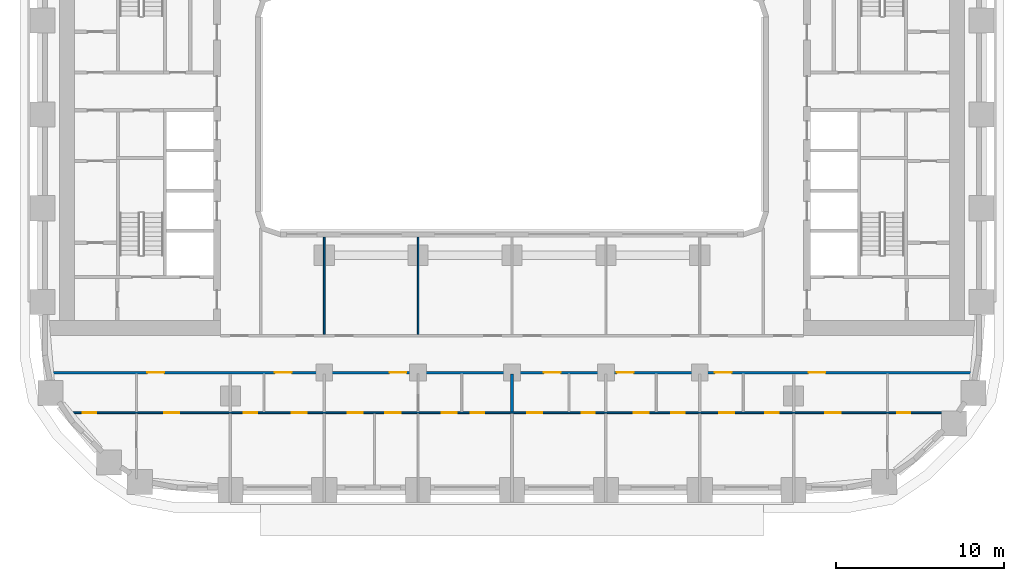
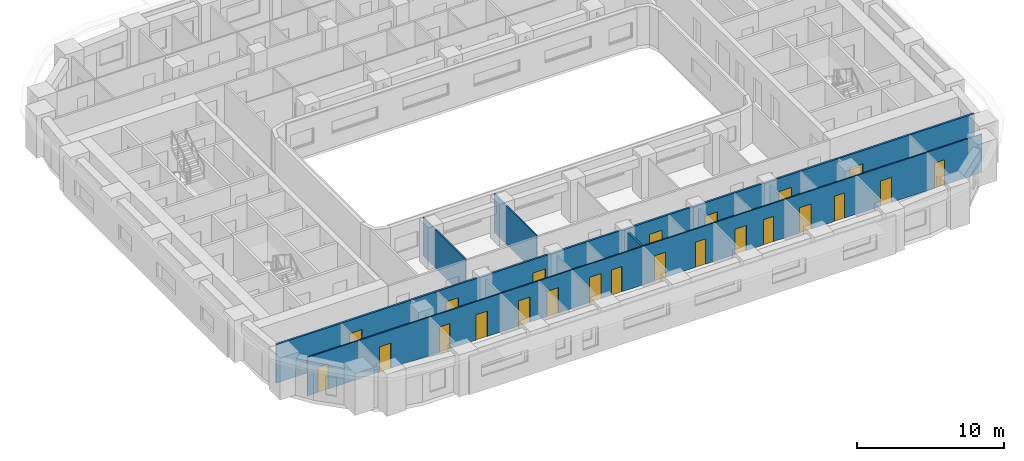
# One storey, part 3 of 21: 23 doors, 5 walls, 23 openings.
"""IFC4 building model written with IfcOpenShell, lengths in metres."""

from ifc_helpers import new_model, si_unit, direction, frame, frame_2d, origin, place, context, subcontext, project, spatial, rectangle, extrude, material, layer, layer_set, type_object, element, fill, save


model = new_model("IFC4")

# Units and contexts
model_context = context("Model", 3, precision=1e-05, world=origin(), true_north=direction((0.0, 1.0)))
body_context = subcontext(model_context, "Body", "Model", "MODEL_VIEW")
ifc_project = project(units=[si_unit("LENGTHUNIT", "METRE"), si_unit("AREAUNIT", "SQUARE_METRE"), si_unit("VOLUMEUNIT", "CUBIC_METRE"), si_unit("PLANEANGLEUNIT", "RADIAN"), si_unit("MASSUNIT", "GRAM", prefix="KILO")], contexts=[model_context])

# Site, building, storey
site_placement = place(None, origin())
site = spatial("IfcSite", under=ifc_project, at=site_placement, CompositionType="ELEMENT")
building_placement = place(site_placement, origin())
building = spatial("IfcBuilding", under=site, at=building_placement, Name="Kiln Ring Residences", CompositionType="ELEMENT")
storey_placement = place(building_placement, frame((0.0, 0.0, 48.0)))
storey = spatial("IfcBuildingStorey", under=building, at=storey_placement, Name="L11", CompositionType="ELEMENT", Elevation=48.0)

# Wall, openings, doors
ifc_material_1 = material(Name="Gypsum board on steel studs", Category="steel")
ifc_layer_1 = layer(ifc_material_1, 0.10009765625)
ifc_layer_set_1 = layer_set([ifc_layer_1], Name="PARTITION-100")
wall_type_1 = type_object("IfcWallType", Name="PARTITION-100", PredefinedType="PARTITIONING", material=ifc_layer_set_1)
wall_1_placement = place(storey_placement, frame((-26.39404296875, -17.800048828125, 0.0), z_axis=(0.0, 0.0, 1.0), x_axis=(1.0, 0.0, 0.0)))
wall_1 = element("IfcWall", 1, at=wall_1_placement, inside=storey, type_object=wall_type_1, Name="Partition 000", PredefinedType="PARTITIONING", context=body_context, shape_type="SweptSolid", body=[
    extrude(rectangle(XDim=53.126220703125, YDim=0.10009765625, at=frame_2d((26.56298828125, 0.0))), origin(), (0.0, 0.0, 1.0), 3.199951171875),
])
opening_1_placement = place(wall_1_placement, frame((0.7939453125, 0.0, 0.0)))
opening_1 = element("IfcOpeningElement", 2, at=opening_1_placement, cuts=wall_1, Name="Opening L11-D052", PredefinedType="OPENING", context=body_context, shape_type="SweptSolid", body=[
    extrude(rectangle(XDim=0.800048828125, YDim=2.10009765625, at=frame_2d((0.39990234375, 1.050048828125))), frame((0.0, 0.06005859375, 0.0), z_axis=(0.0, -1.0, 0.0), x_axis=(1.0, 0.0, 0.0)), (0.0, 0.0, 1.0), 0.1201171875),
])
opening_2_placement = place(wall_1_placement, frame((5.64404296875, 0.0, 0.0)))
opening_2 = element("IfcOpeningElement", 3, at=opening_2_placement, cuts=wall_1, Name="Opening L11-D053", PredefinedType="OPENING", context=body_context, shape_type="SweptSolid", body=[
    extrude(rectangle(XDim=0.89990234375, YDim=2.10009765625, at=frame_2d((0.449951171875, 1.050048828125))), frame((0.0, 0.06005859375, 0.0), z_axis=(0.0, -1.0, 0.0), x_axis=(1.0, 0.0, 0.0)), (0.0, 0.0, 1.0), 0.1201171875),
])
opening_3_placement = place(wall_1_placement, frame((10.39404296875, 0.0, 0.0)))
opening_3 = element("IfcOpeningElement", 4, at=opening_3_placement, cuts=wall_1, Name="Opening L11-D056", PredefinedType="OPENING", context=body_context, shape_type="SweptSolid", body=[
    extrude(rectangle(XDim=0.800048828125, YDim=2.10009765625, at=frame_2d((0.39990234375, 1.050048828125))), frame((0.0, 0.06005859375, 0.0), z_axis=(0.0, -1.0, 0.0), x_axis=(1.0, 0.0, 0.0)), (0.0, 0.0, 1.0), 0.1201171875),
])
opening_4_placement = place(wall_1_placement, frame((13.243896484375, 0.0, 0.0)))
opening_4 = element("IfcOpeningElement", 5, at=opening_4_placement, cuts=wall_1, Name="Opening L11-D057", PredefinedType="OPENING", context=body_context, shape_type="SweptSolid", body=[
    extrude(rectangle(XDim=0.89990234375, YDim=2.10009765625, at=frame_2d((0.449951171875, 1.050048828125))), frame((0.0, 0.06005859375, 0.0), z_axis=(0.0, -1.0, 0.0), x_axis=(1.0, 0.0, 0.0)), (0.0, 0.0, 1.0), 0.1201171875),
])
opening_5_placement = place(wall_1_placement, frame((23.944091796875, 0.0, 0.0)))
opening_5 = element("IfcOpeningElement", 6, at=opening_5_placement, cuts=wall_1, Name="Opening L11-D060", PredefinedType="OPENING", context=body_context, shape_type="SweptSolid", body=[
    extrude(rectangle(XDim=0.800048828125, YDim=2.10009765625, at=frame_2d((0.39990234375, 1.050048828125))), frame((0.0, 0.06005859375, 0.0), z_axis=(0.0, -1.0, 0.0), x_axis=(1.0, 0.0, 0.0)), (0.0, 0.0, 1.0), 0.1201171875),
])
opening_6_placement = place(wall_1_placement, frame((22.194091796875, 0.0, 0.0)))
opening_6 = element("IfcOpeningElement", 7, at=opening_6_placement, cuts=wall_1, Name="Opening L11-D061", PredefinedType="OPENING", context=body_context, shape_type="SweptSolid", body=[
    extrude(rectangle(XDim=0.89990234375, YDim=2.10009765625, at=frame_2d((0.449951171875, 1.050048828125))), frame((0.0, 0.06005859375, 0.0), z_axis=(0.0, -1.0, 0.0), x_axis=(1.0, 0.0, 0.0)), (0.0, 0.0, 1.0), 0.1201171875),
])
opening_7_placement = place(wall_1_placement, frame((16.593994140625, 0.0, 0.0)))
opening_7 = element("IfcOpeningElement", 8, at=opening_7_placement, cuts=wall_1, Name="Opening L11-D062", PredefinedType="OPENING", context=body_context, shape_type="SweptSolid", body=[
    extrude(rectangle(XDim=0.89990234375, YDim=2.10009765625, at=frame_2d((0.449951171875, 1.050048828125))), frame((0.0, 0.06005859375, 0.0), z_axis=(0.0, -1.0, 0.0), x_axis=(1.0, 0.0, 0.0)), (0.0, 0.0, 1.0), 0.1201171875),
])
opening_8_placement = place(wall_1_placement, frame((18.843994140625, 0.0, 0.0)))
opening_8 = element("IfcOpeningElement", 9, at=opening_8_placement, cuts=wall_1, Name="Opening L11-D063", PredefinedType="OPENING", context=body_context, shape_type="SweptSolid", body=[
    extrude(rectangle(XDim=0.89990234375, YDim=2.10009765625, at=frame_2d((0.449951171875, 1.050048828125))), frame((0.0, 0.06005859375, 0.0), z_axis=(0.0, -1.0, 0.0), x_axis=(1.0, 0.0, 0.0)), (0.0, 0.0, 1.0), 0.1201171875),
])
opening_9_placement = place(wall_1_placement, frame((30.5439453125, 0.0, 0.0)))
opening_9 = element("IfcOpeningElement", 10, at=opening_9_placement, cuts=wall_1, Name="Opening L11-D065", PredefinedType="OPENING", context=body_context, shape_type="SweptSolid", body=[
    extrude(rectangle(XDim=0.800048828125, YDim=2.10009765625, at=frame_2d((0.39990234375, 1.050048828125))), frame((0.0, 0.06005859375, 0.0), z_axis=(0.0, -1.0, 0.0), x_axis=(1.0, 0.0, 0.0)), (0.0, 0.0, 1.0), 0.1201171875),
])
opening_10_placement = place(wall_1_placement, frame((27.2939453125, 0.0, 0.0)))
opening_10 = element("IfcOpeningElement", 11, at=opening_10_placement, cuts=wall_1, Name="Opening L11-D066", PredefinedType="OPENING", context=body_context, shape_type="SweptSolid", body=[
    extrude(rectangle(XDim=0.89990234375, YDim=2.10009765625, at=frame_2d((0.449951171875, 1.050048828125))), frame((0.0, 0.06005859375, 0.0), z_axis=(0.0, -1.0, 0.0), x_axis=(1.0, 0.0, 0.0)), (0.0, 0.0, 1.0), 0.1201171875),
])
opening_11_placement = place(wall_1_placement, frame((35.89404296875, 0.0, 0.0)))
opening_11 = element("IfcOpeningElement", 12, at=opening_11_placement, cuts=wall_1, Name="Opening L11-D068", PredefinedType="OPENING", context=body_context, shape_type="SweptSolid", body=[
    extrude(rectangle(XDim=0.800048828125, YDim=2.10009765625, at=frame_2d((0.39990234375, 1.050048828125))), frame((0.0, 0.06005859375, 0.0), z_axis=(0.0, -1.0, 0.0), x_axis=(1.0, 0.0, 0.0)), (0.0, 0.0, 1.0), 0.1201171875),
])
opening_12_placement = place(wall_1_placement, frame((33.64404296875, 0.0, 0.0)))
opening_12 = element("IfcOpeningElement", 13, at=opening_12_placement, cuts=wall_1, Name="Opening L11-D069", PredefinedType="OPENING", context=body_context, shape_type="SweptSolid", body=[
    extrude(rectangle(XDim=0.89990234375, YDim=2.10009765625, at=frame_2d((0.449951171875, 1.050048828125))), frame((0.0, 0.06005859375, 0.0), z_axis=(0.0, -1.0, 0.0), x_axis=(1.0, 0.0, 0.0)), (0.0, 0.0, 1.0), 0.1201171875),
])
opening_13_placement = place(wall_1_placement, frame((41.493896484375, 0.0, 0.0)))
opening_13 = element("IfcOpeningElement", 14, at=opening_13_placement, cuts=wall_1, Name="Opening L11-D071", PredefinedType="OPENING", context=body_context, shape_type="SweptSolid", body=[
    extrude(rectangle(XDim=0.800048828125, YDim=2.10009765625, at=frame_2d((0.39990234375, 1.050048828125))), frame((0.0, 0.06005859375, 0.0), z_axis=(0.0, -1.0, 0.0), x_axis=(1.0, 0.0, 0.0)), (0.0, 0.0, 1.0), 0.1201171875),
])
opening_14_placement = place(wall_1_placement, frame((38.743896484375, 0.0, 0.0)))
opening_14 = element("IfcOpeningElement", 15, at=opening_14_placement, cuts=wall_1, Name="Opening L11-D072", PredefinedType="OPENING", context=body_context, shape_type="SweptSolid", body=[
    extrude(rectangle(XDim=0.89990234375, YDim=2.10009765625, at=frame_2d((0.449951171875, 1.050048828125))), frame((0.0, 0.06005859375, 0.0), z_axis=(0.0, -1.0, 0.0), x_axis=(1.0, 0.0, 0.0)), (0.0, 0.0, 1.0), 0.1201171875),
])
opening_15_placement = place(wall_1_placement, frame((49.362060546875, 0.0, 0.0)))
opening_15 = element("IfcOpeningElement", 16, at=opening_15_placement, cuts=wall_1, Name="Opening L11-D074", PredefinedType="OPENING", context=body_context, shape_type="SweptSolid", body=[
    extrude(rectangle(XDim=0.800048828125, YDim=2.10009765625, at=frame_2d((0.39990234375, 1.050048828125))), frame((0.0, 0.06005859375, 0.0), z_axis=(0.0, -1.0, 0.0), x_axis=(1.0, 0.0, 0.0)), (0.0, 0.0, 1.0), 0.1201171875),
])
opening_16_placement = place(wall_1_placement, frame((45.093994140625, 0.0, 0.0)))
opening_16 = element("IfcOpeningElement", 17, at=opening_16_placement, cuts=wall_1, Name="Opening L11-D075", PredefinedType="OPENING", context=body_context, shape_type="SweptSolid", body=[
    extrude(rectangle(XDim=0.89990234375, YDim=2.10009765625, at=frame_2d((0.449951171875, 1.050048828125))), frame((0.0, 0.06005859375, 0.0), z_axis=(0.0, -1.0, 0.0), x_axis=(1.0, 0.0, 0.0)), (0.0, 0.0, 1.0), 0.1201171875),
])
ifc_material_2 = material(Name="Timber door leaf", Category="wood")
door_type_1 = type_object("IfcDoorType", Name="FLAT-DOOR-800-PL", OperationType="SINGLE_SWING_LEFT", PredefinedType="DOOR", material=ifc_material_2)
door_1_placement = place(opening_1_placement, origin())
door_1 = element("IfcDoor", 18, at=door_1_placement, inside=storey, type_object=door_type_1, Name="Door L11-D052", OperationType="SINGLE_SWING_RIGHT", OverallHeight=2.10009765625, OverallWidth=0.800048828125, PredefinedType="DOOR", context=body_context, shape_type="SweptSolid", body=[
    extrude(rectangle(XDim=0.800048828125, YDim=2.10009765625, at=frame_2d((0.39990234375, 1.050048828125))), frame((0.0, 0.02490234375, 0.0), z_axis=(0.0, -1.0, 0.0), x_axis=(1.0, 0.0, 0.0)), (0.0, 0.0, 1.0), 0.050048828125),
])
fill(opening_1, door_1)
door_2_placement = place(opening_3_placement, origin())
door_2 = element("IfcDoor", 19, at=door_2_placement, inside=storey, type_object=door_type_1, Name="Door L11-D056", OperationType="SINGLE_SWING_LEFT", OverallHeight=2.10009765625, OverallWidth=0.800048828125, PredefinedType="DOOR", context=body_context, shape_type="SweptSolid", body=[
    extrude(rectangle(XDim=0.800048828125, YDim=2.10009765625, at=frame_2d((0.39990234375, 1.050048828125))), frame((0.0, 0.02490234375, 0.0), z_axis=(0.0, -1.0, 0.0), x_axis=(1.0, 0.0, 0.0)), (0.0, 0.0, 1.0), 0.050048828125),
])
fill(opening_3, door_2)
door_3_placement = place(opening_5_placement, origin())
door_3 = element("IfcDoor", 20, at=door_3_placement, inside=storey, type_object=door_type_1, Name="Door L11-D060", OperationType="SINGLE_SWING_RIGHT", OverallHeight=2.10009765625, OverallWidth=0.800048828125, PredefinedType="DOOR", context=body_context, shape_type="SweptSolid", body=[
    extrude(rectangle(XDim=0.800048828125, YDim=2.10009765625, at=frame_2d((0.39990234375, 1.050048828125))), frame((0.0, 0.02490234375, 0.0), z_axis=(0.0, -1.0, 0.0), x_axis=(1.0, 0.0, 0.0)), (0.0, 0.0, 1.0), 0.050048828125),
])
fill(opening_5, door_3)
door_4_placement = place(opening_9_placement, origin())
door_4 = element("IfcDoor", 21, at=door_4_placement, inside=storey, type_object=door_type_1, Name="Door L11-D065", OperationType="SINGLE_SWING_LEFT", OverallHeight=2.10009765625, OverallWidth=0.800048828125, PredefinedType="DOOR", context=body_context, shape_type="SweptSolid", body=[
    extrude(rectangle(XDim=0.800048828125, YDim=2.10009765625, at=frame_2d((0.39990234375, 1.050048828125))), frame((0.0, 0.02490234375, 0.0), z_axis=(0.0, -1.0, 0.0), x_axis=(1.0, 0.0, 0.0)), (0.0, 0.0, 1.0), 0.050048828125),
])
fill(opening_9, door_4)
door_5_placement = place(opening_11_placement, origin())
door_5 = element("IfcDoor", 22, at=door_5_placement, inside=storey, type_object=door_type_1, Name="Door L11-D068", OperationType="SINGLE_SWING_RIGHT", OverallHeight=2.10009765625, OverallWidth=0.800048828125, PredefinedType="DOOR", context=body_context, shape_type="SweptSolid", body=[
    extrude(rectangle(XDim=0.800048828125, YDim=2.10009765625, at=frame_2d((0.39990234375, 1.050048828125))), frame((0.0, 0.02490234375, 0.0), z_axis=(0.0, -1.0, 0.0), x_axis=(1.0, 0.0, 0.0)), (0.0, 0.0, 1.0), 0.050048828125),
])
fill(opening_11, door_5)
door_6_placement = place(opening_13_placement, origin())
door_6 = element("IfcDoor", 23, at=door_6_placement, inside=storey, type_object=door_type_1, Name="Door L11-D071", OperationType="SINGLE_SWING_LEFT", OverallHeight=2.10009765625, OverallWidth=0.800048828125, PredefinedType="DOOR", context=body_context, shape_type="SweptSolid", body=[
    extrude(rectangle(XDim=0.800048828125, YDim=2.10009765625, at=frame_2d((0.39990234375, 1.050048828125))), frame((0.0, 0.02490234375, 0.0), z_axis=(0.0, -1.0, 0.0), x_axis=(1.0, 0.0, 0.0)), (0.0, 0.0, 1.0), 0.050048828125),
])
fill(opening_13, door_6)
door_7_placement = place(opening_15_placement, origin())
door_7 = element("IfcDoor", 24, at=door_7_placement, inside=storey, type_object=door_type_1, Name="Door L11-D074", OperationType="SINGLE_SWING_RIGHT", OverallHeight=2.10009765625, OverallWidth=0.800048828125, PredefinedType="DOOR", context=body_context, shape_type="SweptSolid", body=[
    extrude(rectangle(XDim=0.800048828125, YDim=2.10009765625, at=frame_2d((0.39990234375, 1.050048828125))), frame((0.0, 0.02490234375, 0.0), z_axis=(0.0, -1.0, 0.0), x_axis=(1.0, 0.0, 0.0)), (0.0, 0.0, 1.0), 0.050048828125),
])
fill(opening_15, door_7)
ifc_material_3 = material(Name="Timber door leaf", Category="wood")
door_type_2 = type_object("IfcDoorType", Name="FLAT-DOOR-900-PL", OperationType="SINGLE_SWING_LEFT", PredefinedType="DOOR", material=ifc_material_3)
door_8_placement = place(opening_2_placement, origin())
door_8 = element("IfcDoor", 25, at=door_8_placement, inside=storey, type_object=door_type_2, Name="Door L11-D053", OperationType="SINGLE_SWING_LEFT", OverallHeight=2.10009765625, OverallWidth=0.89990234375, PredefinedType="DOOR", context=body_context, shape_type="SweptSolid", body=[
    extrude(rectangle(XDim=0.89990234375, YDim=2.10009765625, at=frame_2d((0.449951171875, 1.050048828125))), frame((0.0, 0.02490234375, 0.0), z_axis=(0.0, -1.0, 0.0), x_axis=(1.0, 0.0, 0.0)), (0.0, 0.0, 1.0), 0.050048828125),
])
fill(opening_2, door_8)
door_9_placement = place(opening_4_placement, origin())
door_9 = element("IfcDoor", 26, at=door_9_placement, inside=storey, type_object=door_type_2, Name="Door L11-D057", OperationType="SINGLE_SWING_RIGHT", OverallHeight=2.10009765625, OverallWidth=0.89990234375, PredefinedType="DOOR", context=body_context, shape_type="SweptSolid", body=[
    extrude(rectangle(XDim=0.89990234375, YDim=2.10009765625, at=frame_2d((0.449951171875, 1.050048828125))), frame((0.0, 0.02490234375, 0.0), z_axis=(0.0, -1.0, 0.0), x_axis=(1.0, 0.0, 0.0)), (0.0, 0.0, 1.0), 0.050048828125),
])
fill(opening_4, door_9)
door_10_placement = place(opening_6_placement, origin())
door_10 = element("IfcDoor", 27, at=door_10_placement, inside=storey, type_object=door_type_2, Name="Door L11-D061", OperationType="SINGLE_SWING_RIGHT", OverallHeight=2.10009765625, OverallWidth=0.89990234375, PredefinedType="DOOR", context=body_context, shape_type="SweptSolid", body=[
    extrude(rectangle(XDim=0.89990234375, YDim=2.10009765625, at=frame_2d((0.449951171875, 1.050048828125))), frame((0.0, 0.02490234375, 0.0), z_axis=(0.0, -1.0, 0.0), x_axis=(1.0, 0.0, 0.0)), (0.0, 0.0, 1.0), 0.050048828125),
])
fill(opening_6, door_10)
door_11_placement = place(opening_7_placement, origin())
door_11 = element("IfcDoor", 28, at=door_11_placement, inside=storey, type_object=door_type_2, Name="Door L11-D062", OperationType="SINGLE_SWING_RIGHT", OverallHeight=2.10009765625, OverallWidth=0.89990234375, PredefinedType="DOOR", context=body_context, shape_type="SweptSolid", body=[
    extrude(rectangle(XDim=0.89990234375, YDim=2.10009765625, at=frame_2d((0.449951171875, 1.050048828125))), frame((0.0, 0.02490234375, 0.0), z_axis=(0.0, -1.0, 0.0), x_axis=(1.0, 0.0, 0.0)), (0.0, 0.0, 1.0), 0.050048828125),
])
fill(opening_7, door_11)
door_12_placement = place(opening_8_placement, origin())
door_12 = element("IfcDoor", 29, at=door_12_placement, inside=storey, type_object=door_type_2, Name="Door L11-D063", OperationType="SINGLE_SWING_LEFT", OverallHeight=2.10009765625, OverallWidth=0.89990234375, PredefinedType="DOOR", context=body_context, shape_type="SweptSolid", body=[
    extrude(rectangle(XDim=0.89990234375, YDim=2.10009765625, at=frame_2d((0.449951171875, 1.050048828125))), frame((0.0, 0.02490234375, 0.0), z_axis=(0.0, -1.0, 0.0), x_axis=(1.0, 0.0, 0.0)), (0.0, 0.0, 1.0), 0.050048828125),
])
fill(opening_8, door_12)
door_13_placement = place(opening_10_placement, origin())
door_13 = element("IfcDoor", 30, at=door_13_placement, inside=storey, type_object=door_type_2, Name="Door L11-D066", OperationType="SINGLE_SWING_LEFT", OverallHeight=2.10009765625, OverallWidth=0.89990234375, PredefinedType="DOOR", context=body_context, shape_type="SweptSolid", body=[
    extrude(rectangle(XDim=0.89990234375, YDim=2.10009765625, at=frame_2d((0.449951171875, 1.050048828125))), frame((0.0, 0.02490234375, 0.0), z_axis=(0.0, -1.0, 0.0), x_axis=(1.0, 0.0, 0.0)), (0.0, 0.0, 1.0), 0.050048828125),
])
fill(opening_10, door_13)
door_14_placement = place(opening_12_placement, origin())
door_14 = element("IfcDoor", 31, at=door_14_placement, inside=storey, type_object=door_type_2, Name="Door L11-D069", OperationType="SINGLE_SWING_RIGHT", OverallHeight=2.10009765625, OverallWidth=0.89990234375, PredefinedType="DOOR", context=body_context, shape_type="SweptSolid", body=[
    extrude(rectangle(XDim=0.89990234375, YDim=2.10009765625, at=frame_2d((0.449951171875, 1.050048828125))), frame((0.0, 0.02490234375, 0.0), z_axis=(0.0, -1.0, 0.0), x_axis=(1.0, 0.0, 0.0)), (0.0, 0.0, 1.0), 0.050048828125),
])
fill(opening_12, door_14)
door_15_placement = place(opening_14_placement, origin())
door_15 = element("IfcDoor", 32, at=door_15_placement, inside=storey, type_object=door_type_2, Name="Door L11-D072", OperationType="SINGLE_SWING_RIGHT", OverallHeight=2.10009765625, OverallWidth=0.89990234375, PredefinedType="DOOR", context=body_context, shape_type="SweptSolid", body=[
    extrude(rectangle(XDim=0.89990234375, YDim=2.10009765625, at=frame_2d((0.449951171875, 1.050048828125))), frame((0.0, 0.02490234375, 0.0), z_axis=(0.0, -1.0, 0.0), x_axis=(1.0, 0.0, 0.0)), (0.0, 0.0, 1.0), 0.050048828125),
])
fill(opening_14, door_15)
door_16_placement = place(opening_16_placement, origin())
door_16 = element("IfcDoor", 33, at=door_16_placement, inside=storey, type_object=door_type_2, Name="Door L11-D075", OperationType="SINGLE_SWING_LEFT", OverallHeight=2.10009765625, OverallWidth=0.89990234375, PredefinedType="DOOR", context=body_context, shape_type="SweptSolid", body=[
    extrude(rectangle(XDim=0.89990234375, YDim=2.10009765625, at=frame_2d((0.449951171875, 1.050048828125))), frame((0.0, 0.02490234375, 0.0), z_axis=(0.0, -1.0, 0.0), x_axis=(1.0, 0.0, 0.0)), (0.0, 0.0, 1.0), 0.050048828125),
])
fill(opening_16, door_16)

# Walls
for number, where, z_axis, x_axis, name in (
    (34, (-11.199951171875, -13.125, 0.0), (0.0, 0.0, 1.0), (0.0, 1.0, 0.0), "Partition 019"),
    (35, (-5.60009765625, -13.125, 0.0), (0.0, 0.0, 1.0), (0.0, 1.0, 0.0), "Partition 030"),
):
    element("IfcWall", number, at=place(storey_placement, frame(where, z_axis=z_axis, x_axis=x_axis)), inside=storey, type_object=wall_type_1, Name=name, PredefinedType="PARTITIONING", context=body_context, shape_type="SweptSolid", body=[
        extrude(rectangle(XDim=5.804931640625, YDim=0.10009765625, at=frame_2d((2.90234375, 0.0))), origin(), (0.0, 0.0, 1.0), 3.199951171875),
    ])

# Wall, openings, doors
ifc_material_4 = material(Name="Brick masonry partition", Category="masonry")
ifc_layer_2 = layer(ifc_material_4, 0.14990234375)
ifc_layer_set_2 = layer_set([ifc_layer_2], Name="PARTITION-150-ei60")
wall_type_2 = type_object("IfcWallType", Name="PARTITION-150-ei60", PredefinedType="PARTITIONING", material=ifc_layer_set_2)
wall_2_placement = place(storey_placement, frame((-27.48388671875, -15.39990234375, 0.0), z_axis=(0.0, 0.0, 1.0), x_axis=(1.0, 0.0, 0.0)))
wall_2 = element("IfcWall", 36, at=wall_2_placement, inside=storey, type_object=wall_type_2, Name="Partition 001", PredefinedType="PARTITIONING", context=body_context, shape_type="SweptSolid", body=[
    extrude(rectangle(XDim=54.9677734375, YDim=0.14990234375, at=frame_2d((27.48388671875, 0.0))), origin(), (0.0, 0.0, 1.0), 3.199951171875),
])
opening_17_placement = place(wall_2_placement, frame((5.73388671875, 0.0, 0.0)))
opening_17 = element("IfcOpeningElement", 37, at=opening_17_placement, cuts=wall_2, Name="Opening L11-D051", PredefinedType="OPENING", context=body_context, shape_type="SweptSolid", body=[
    extrude(rectangle(XDim=1.0, YDim=2.10009765625, at=frame_2d((0.5, 1.050048828125))), frame((0.0, 0.0849609375, 0.0), z_axis=(0.0, -1.0, 0.0), x_axis=(1.0, 0.0, 0.0)), (0.0, 0.0, 1.0), 0.169921875),
])
opening_18_placement = place(wall_2_placement, frame((13.333740234375, 0.0, 0.0)))
opening_18 = element("IfcOpeningElement", 38, at=opening_18_placement, cuts=wall_2, Name="Opening L11-D055", PredefinedType="OPENING", context=body_context, shape_type="SweptSolid", body=[
    extrude(rectangle(XDim=1.0, YDim=2.10009765625, at=frame_2d((0.5, 1.050048828125))), frame((0.0, 0.0849609375, 0.0), z_axis=(0.0, -1.0, 0.0), x_axis=(1.0, 0.0, 0.0)), (0.0, 0.0, 1.0), 0.169921875),
])
opening_19_placement = place(wall_2_placement, frame((20.183837890625, 0.0, 0.0)))
opening_19 = element("IfcOpeningElement", 39, at=opening_19_placement, cuts=wall_2, Name="Opening L11-D058", PredefinedType="OPENING", context=body_context, shape_type="SweptSolid", body=[
    extrude(rectangle(XDim=1.0, YDim=2.10009765625, at=frame_2d((0.5, 1.050048828125))), frame((0.0, 0.0849609375, 0.0), z_axis=(0.0, -1.0, 0.0), x_axis=(1.0, 0.0, 0.0)), (0.0, 0.0, 1.0), 0.169921875),
])
opening_20_placement = place(wall_2_placement, frame((29.3837890625, 0.0, 0.0)))
opening_20 = element("IfcOpeningElement", 40, at=opening_20_placement, cuts=wall_2, Name="Opening L11-D064", PredefinedType="OPENING", context=body_context, shape_type="SweptSolid", body=[
    extrude(rectangle(XDim=1.0, YDim=2.10009765625, at=frame_2d((0.5, 1.050048828125))), frame((0.0, 0.0849609375, 0.0), z_axis=(0.0, -1.0, 0.0), x_axis=(1.0, 0.0, 0.0)), (0.0, 0.0, 1.0), 0.169921875),
])
opening_21_placement = place(wall_2_placement, frame((33.73388671875, 0.0, 0.0)))
opening_21 = element("IfcOpeningElement", 41, at=opening_21_placement, cuts=wall_2, Name="Opening L11-D067", PredefinedType="OPENING", context=body_context, shape_type="SweptSolid", body=[
    extrude(rectangle(XDim=1.0, YDim=2.10009765625, at=frame_2d((0.5, 1.050048828125))), frame((0.0, 0.0849609375, 0.0), z_axis=(0.0, -1.0, 0.0), x_axis=(1.0, 0.0, 0.0)), (0.0, 0.0, 1.0), 0.169921875),
])
opening_22_placement = place(wall_2_placement, frame((39.583740234375, 0.0, 0.0)))
opening_22 = element("IfcOpeningElement", 42, at=opening_22_placement, cuts=wall_2, Name="Opening L11-D070", PredefinedType="OPENING", context=body_context, shape_type="SweptSolid", body=[
    extrude(rectangle(XDim=1.0, YDim=2.10009765625, at=frame_2d((0.5, 1.050048828125))), frame((0.0, 0.0849609375, 0.0), z_axis=(0.0, -1.0, 0.0), x_axis=(1.0, 0.0, 0.0)), (0.0, 0.0, 1.0), 0.169921875),
])
opening_23_placement = place(wall_2_placement, frame((45.183837890625, 0.0, 0.0)))
opening_23 = element("IfcOpeningElement", 43, at=opening_23_placement, cuts=wall_2, Name="Opening L11-D073", PredefinedType="OPENING", context=body_context, shape_type="SweptSolid", body=[
    extrude(rectangle(XDim=1.0, YDim=2.10009765625, at=frame_2d((0.5, 1.050048828125))), frame((0.0, 0.0849609375, 0.0), z_axis=(0.0, -1.0, 0.0), x_axis=(1.0, 0.0, 0.0)), (0.0, 0.0, 1.0), 0.169921875),
])
ifc_material_5 = material(Name="Steel faced fire door leaf", Category="steel")
door_type_3 = type_object("IfcDoorType", Name="FLAT-DOOR-1000-FR", OperationType="SINGLE_SWING_LEFT", PredefinedType="DOOR", material=ifc_material_5)
door_17_placement = place(opening_17_placement, origin())
door_17 = element("IfcDoor", 44, at=door_17_placement, inside=storey, type_object=door_type_3, Name="Door L11-D051", OperationType="SINGLE_SWING_LEFT", OverallHeight=2.10009765625, OverallWidth=1.0, PredefinedType="DOOR", context=body_context, shape_type="SweptSolid", body=[
    extrude(rectangle(XDim=1.0, YDim=2.10009765625, at=frame_2d((0.5, 1.050048828125))), frame((0.0, 0.02490234375, 0.0), z_axis=(0.0, -1.0, 0.0), x_axis=(1.0, 0.0, 0.0)), (0.0, 0.0, 1.0), 0.050048828125),
])
fill(opening_17, door_17)
door_18_placement = place(opening_18_placement, origin())
door_18 = element("IfcDoor", 45, at=door_18_placement, inside=storey, type_object=door_type_3, Name="Door L11-D055", OperationType="SINGLE_SWING_LEFT", OverallHeight=2.10009765625, OverallWidth=1.0, PredefinedType="DOOR", context=body_context, shape_type="SweptSolid", body=[
    extrude(rectangle(XDim=1.0, YDim=2.10009765625, at=frame_2d((0.5, 1.050048828125))), frame((0.0, 0.02490234375, 0.0), z_axis=(0.0, -1.0, 0.0), x_axis=(1.0, 0.0, 0.0)), (0.0, 0.0, 1.0), 0.050048828125),
])
fill(opening_18, door_18)
door_19_placement = place(opening_19_placement, origin())
door_19 = element("IfcDoor", 46, at=door_19_placement, inside=storey, type_object=door_type_3, Name="Door L11-D058", OperationType="SINGLE_SWING_RIGHT", OverallHeight=2.10009765625, OverallWidth=1.0, PredefinedType="DOOR", context=body_context, shape_type="SweptSolid", body=[
    extrude(rectangle(XDim=1.0, YDim=2.10009765625, at=frame_2d((0.5, 1.050048828125))), frame((0.0, 0.02490234375, 0.0), z_axis=(0.0, -1.0, 0.0), x_axis=(1.0, 0.0, 0.0)), (0.0, 0.0, 1.0), 0.050048828125),
])
fill(opening_19, door_19)
door_20_placement = place(opening_20_placement, origin())
door_20 = element("IfcDoor", 47, at=door_20_placement, inside=storey, type_object=door_type_3, Name="Door L11-D064", OperationType="SINGLE_SWING_RIGHT", OverallHeight=2.10009765625, OverallWidth=1.0, PredefinedType="DOOR", context=body_context, shape_type="SweptSolid", body=[
    extrude(rectangle(XDim=1.0, YDim=2.10009765625, at=frame_2d((0.5, 1.050048828125))), frame((0.0, 0.02490234375, 0.0), z_axis=(0.0, -1.0, 0.0), x_axis=(1.0, 0.0, 0.0)), (0.0, 0.0, 1.0), 0.050048828125),
])
fill(opening_20, door_20)
door_21_placement = place(opening_21_placement, origin())
door_21 = element("IfcDoor", 48, at=door_21_placement, inside=storey, type_object=door_type_3, Name="Door L11-D067", OperationType="SINGLE_SWING_LEFT", OverallHeight=2.10009765625, OverallWidth=1.0, PredefinedType="DOOR", context=body_context, shape_type="SweptSolid", body=[
    extrude(rectangle(XDim=1.0, YDim=2.10009765625, at=frame_2d((0.5, 1.050048828125))), frame((0.0, 0.02490234375, 0.0), z_axis=(0.0, -1.0, 0.0), x_axis=(1.0, 0.0, 0.0)), (0.0, 0.0, 1.0), 0.050048828125),
])
fill(opening_21, door_21)
door_22_placement = place(opening_22_placement, origin())
door_22 = element("IfcDoor", 49, at=door_22_placement, inside=storey, type_object=door_type_3, Name="Door L11-D070", OperationType="SINGLE_SWING_RIGHT", OverallHeight=2.10009765625, OverallWidth=1.0, PredefinedType="DOOR", context=body_context, shape_type="SweptSolid", body=[
    extrude(rectangle(XDim=1.0, YDim=2.10009765625, at=frame_2d((0.5, 1.050048828125))), frame((0.0, 0.02490234375, 0.0), z_axis=(0.0, -1.0, 0.0), x_axis=(1.0, 0.0, 0.0)), (0.0, 0.0, 1.0), 0.050048828125),
])
fill(opening_22, door_22)
door_23_placement = place(opening_23_placement, origin())
door_23 = element("IfcDoor", 50, at=door_23_placement, inside=storey, type_object=door_type_3, Name="Door L11-D073", OperationType="SINGLE_SWING_LEFT", OverallHeight=2.10009765625, OverallWidth=1.0, PredefinedType="DOOR", context=body_context, shape_type="SweptSolid", body=[
    extrude(rectangle(XDim=1.0, YDim=2.10009765625, at=frame_2d((0.5, 1.050048828125))), frame((0.0, 0.02490234375, 0.0), z_axis=(0.0, -1.0, 0.0), x_axis=(1.0, 0.0, 0.0)), (0.0, 0.0, 1.0), 0.050048828125),
])
fill(opening_23, door_23)

# Wall
wall_3_placement = place(storey_placement, frame((0.0, -17.75, 0.0), z_axis=(0.0, 0.0, 1.0), x_axis=(0.0, 1.0, 0.0)))
element("IfcWall", 51, at=wall_3_placement, inside=storey, type_object=wall_type_2, Name="Partition 040", PredefinedType="PARTITIONING", context=body_context, shape_type="SweptSolid", body=[
    extrude(rectangle(XDim=2.27490234375, YDim=0.14990234375, at=frame_2d((1.137451171875, 0.0))), origin(), (0.0, 0.0, 1.0), 3.199951171875),
])

save(model, "model.ifc")
